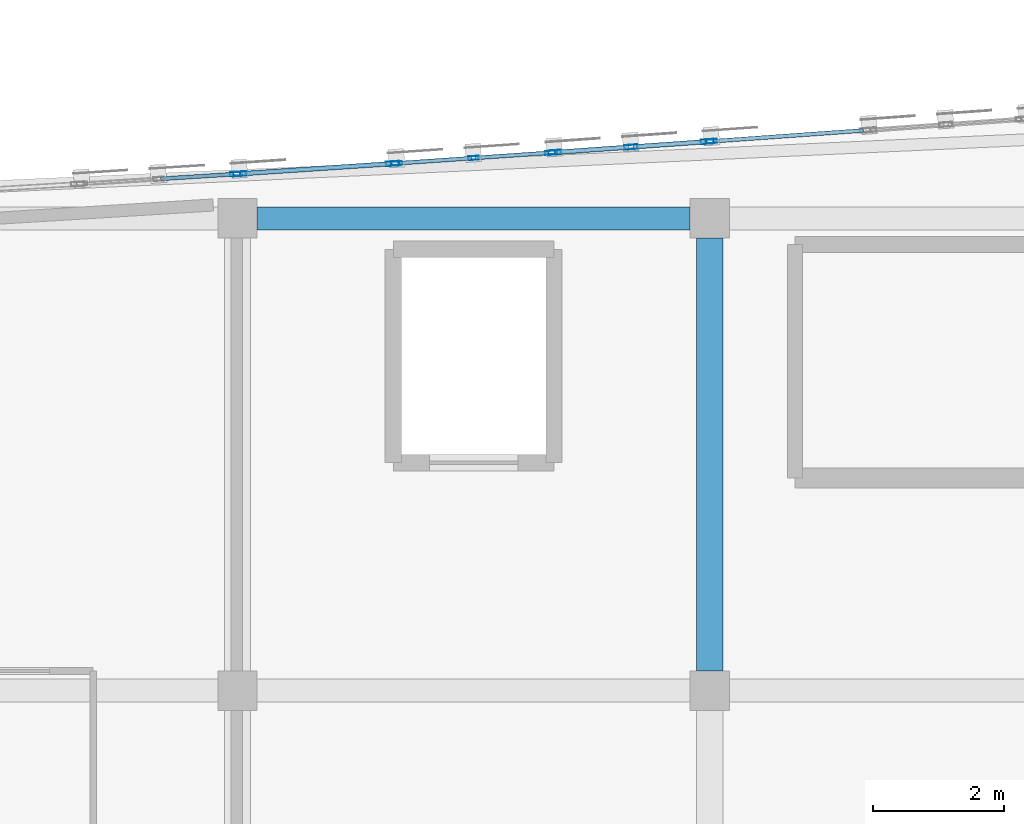
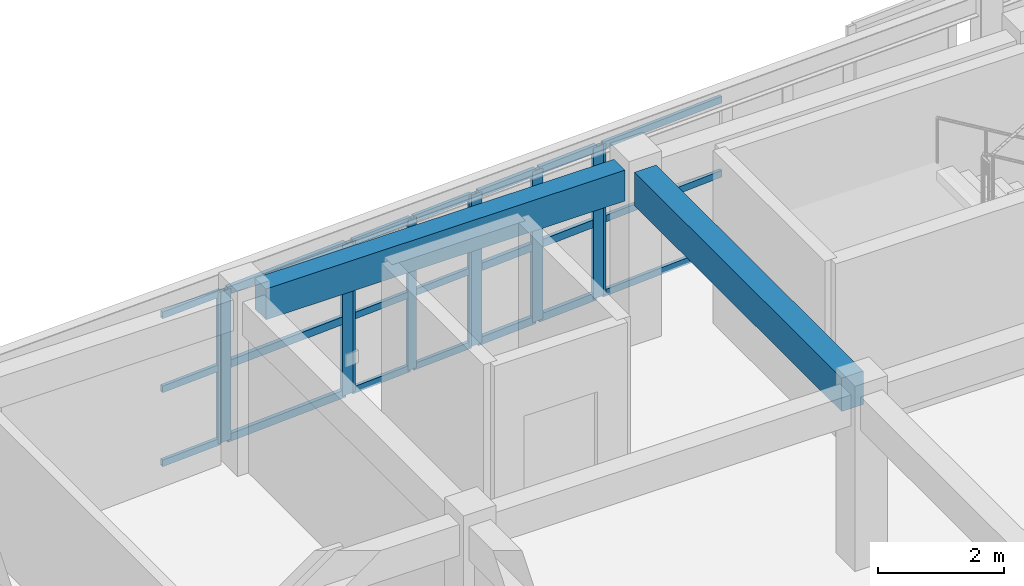
# One storey, part 8 of 45: 31 members, 2 beams, 5 elements without a shape of their own.
"""IFC4 building model written with IfcOpenShell, lengths in metres."""

from ifc_helpers import new_model, si_unit, direction, frame, origin, origin_2d, place, context, subcontext, project, spatial, rectangle, hollow_rectangle, extrude, material, layer, layer_set, material_profile, profile_set, type_object, element, aggregate, save


model = new_model("IFC4")

# Units and contexts
model_context = context("Model", 3, precision=1e-05, world=origin(), true_north=direction((0.0, 1.0)))
body_context = subcontext(model_context, "Body", "Model", "MODEL_VIEW")
ifc_project = project(units=[si_unit("LENGTHUNIT", "METRE"), si_unit("AREAUNIT", "SQUARE_METRE"), si_unit("VOLUMEUNIT", "CUBIC_METRE"), si_unit("PLANEANGLEUNIT", "RADIAN"), si_unit("MASSUNIT", "GRAM", prefix="KILO")], contexts=[model_context])

# Site, building, storey
site_placement = place(None, origin())
site = spatial("IfcSite", under=ifc_project, at=site_placement, CompositionType="ELEMENT")
building_placement = place(site_placement, origin())
building = spatial("IfcBuilding", under=site, at=building_placement, Name="Carrowvane Square Congress Hotel", CompositionType="ELEMENT")
storey_placement = place(building_placement, frame((0.0, 0.0, 33.60009765625)))
storey = spatial("IfcBuildingStorey", under=building, at=storey_placement, Name="L08", CompositionType="ELEMENT", Elevation=33.60009765625)

# Beams
ifc_material_1 = material(Name="Concrete C35/45", Category="concrete")
ifc_material_profile_1 = material_profile(ifc_material_1, rectangle(XDim=0.35009765625, YDim=0.60009765625, at=origin_2d()), Name="RC 350x600")
ifc_profile_set_1 = profile_set([ifc_material_profile_1], Name="Concrete C35/45")
beam_type_1 = type_object("IfcBeamType", Name="BM-RC-350x600", PredefinedType="BEAM", material=ifc_profile_set_1)
beam_1_placement = place(storey_placement, frame((47.89990234375, 113.39990234375, 3.059814453125), z_axis=(1.0, 0.0, 0.0), x_axis=(0.0, 1.0, 0.0)))
element("IfcBeam", 1, at=beam_1_placement, inside=storey, type_object=beam_type_1, Name="L09 girder R/6-7", PredefinedType="BEAM", context=body_context, shape_type="SweptSolid", body=[
    extrude(rectangle(XDim=0.35009765625, YDim=0.60009765625, at=origin_2d()), origin(), (0.0, 0.0, 1.0), 6.60009765625),
])
ifc_material_2 = material(Name="Concrete C35/45", Category="concrete")
ifc_material_profile_2 = material_profile(ifc_material_2, rectangle(XDim=0.39990234375, YDim=0.64990234375, at=origin_2d()), Name="RC 400x650")
ifc_profile_set_2 = profile_set([ifc_material_profile_2], Name="Concrete C35/45")
beam_type_2 = type_object("IfcBeamType", Name="BM-RC-400x650", PredefinedType="BEAM", material=ifc_profile_set_2)
beam_2_placement = place(storey_placement, frame((54.800048828125, 106.5, 3.034912109375), z_axis=(0.0, 1.0, 0.0), x_axis=(-1.0, 0.0, 0.0)))
element("IfcBeam", 2, at=beam_2_placement, inside=storey, type_object=beam_type_2, Name="L09 girder 7/Q-R", PredefinedType="BEAM", context=body_context, shape_type="SweptSolid", body=[
    extrude(rectangle(XDim=0.39990234375, YDim=0.64990234375, at=origin_2d()), origin(), (0.0, 0.0, 1.0), 6.60009765625),
])

# Curtain wall, member
ifc_material_3 = material(Name="Anodised aluminium", Category="aluminium")
ifc_layer_1 = layer(ifc_material_3, 0.2099609375)
ifc_layer_set_1 = layer_set([ifc_layer_1], Name="Anodised aluminium")
curtain_wall_type_1 = type_object("IfcCurtainWallType", Name="CW-SYS-5", PredefinedType="NOTDEFINED", material=ifc_layer_set_1)
curtain_wall_1_placement = place(storey_placement, origin())
curtain_wall_1 = element("IfcCurtainWall", 3, at=curtain_wall_1_placement, inside=storey, type_object=curtain_wall_type_1, Name="L08 unitised curtain wall 460", PredefinedType="NOTDEFINED")
ifc_material_4 = material(Name="Anodised aluminium", Category="aluminium")
ifc_material_profile_3 = material_profile(ifc_material_4, hollow_rectangle(XDim=0.06005859375, YDim=0.159912109375, WallThickness=0.00390625, at=origin_2d()), Name="CW-ML 60x160x4")
ifc_profile_set_3 = profile_set([ifc_material_profile_3], Name="Anodised aluminium")
member_type_1 = type_object("IfcMemberType", Name="CW-MUL-1", PredefinedType="MULLION", material=ifc_profile_set_3)
member_1_placement = place(storey_placement, frame((47.570068359375, 114.073486328125, 0.0), z_axis=(0.0, 0.0, 1.0), x_axis=(-0.063273487972, 0.997996225303, 0.0)))
member_1 = element("IfcMember", 4, at=member_1_placement, type_object=member_type_1, Name="CW-5 mullion 3", PredefinedType="MULLION", context=body_context, shape_type="SweptSolid", body=[
    extrude(hollow_rectangle(XDim=0.06005859375, YDim=0.159912109375, WallThickness=0.00390625, at=origin_2d()), origin(), (0.0, 0.0, 1.0), 2.935546875),
])

# Curtain wall, members
ifc_material_5 = material(Name="Anodised aluminium", Category="aluminium")
ifc_layer_2 = layer(ifc_material_5, 0.23388671875)
ifc_layer_set_2 = layer_set([ifc_layer_2], Name="Anodised aluminium")
curtain_wall_type_2 = type_object("IfcCurtainWallType", Name="CW-SYS-7", PredefinedType="NOTDEFINED", material=ifc_layer_set_2)
curtain_wall_2_placement = place(storey_placement, origin())
curtain_wall_2 = element("IfcCurtainWall", 5, at=curtain_wall_2_placement, inside=storey, type_object=curtain_wall_type_2, Name="L08 unitised curtain wall 462", PredefinedType="NOTDEFINED")
member_2_placement = place(storey_placement, frame((50.030029296875, 114.237548828125, 0.0), z_axis=(0.0, 0.0, 1.0), x_axis=(-0.068986120725, 0.997617619706, 0.0)))
member_2 = element("IfcMember", 6, at=member_2_placement, type_object=member_type_1, Name="CW-7 mullion 1", PredefinedType="MULLION", context=body_context, shape_type="SweptSolid", body=[
    extrude(hollow_rectangle(XDim=0.06005859375, YDim=0.159912109375, WallThickness=0.00390625, at=origin_2d()), origin(), (0.0, 0.0, 1.0), 2.935546875),
])
member_3_placement = place(storey_placement, frame((51.199951171875, 114.318359375, 0.0), z_axis=(0.0, 0.0, 1.0), x_axis=(-0.068986120725, 0.997617619706, 0.0)))
member_3 = element("IfcMember", 7, at=member_3_placement, type_object=member_type_1, Name="CW-7 mullion 2", PredefinedType="MULLION", context=body_context, shape_type="SweptSolid", body=[
    extrude(hollow_rectangle(XDim=0.06005859375, YDim=0.159912109375, WallThickness=0.00390625, at=origin_2d()), origin(), (0.0, 0.0, 1.0), 2.935546875),
])
member_4_placement = place(storey_placement, frame((52.3701171875, 114.3994140625, 0.0), z_axis=(0.0, 0.0, 1.0), x_axis=(-0.068986120725, 0.997617619706, 0.0)))
member_4 = element("IfcMember", 8, at=member_4_placement, type_object=member_type_1, Name="CW-7 mullion 3", PredefinedType="MULLION", context=body_context, shape_type="SweptSolid", body=[
    extrude(hollow_rectangle(XDim=0.06005859375, YDim=0.159912109375, WallThickness=0.00390625, at=origin_2d()), origin(), (0.0, 0.0, 1.0), 2.935546875),
])

# Curtain wall, member
ifc_material_6 = material(Name="Anodised aluminium", Category="aluminium")
ifc_layer_3 = layer(ifc_material_6, 0.162109375)
ifc_layer_set_3 = layer_set([ifc_layer_3], Name="Anodised aluminium")
curtain_wall_type_3 = type_object("IfcCurtainWallType", Name="CW-SYS-1", PredefinedType="NOTDEFINED", material=ifc_layer_set_3)
curtain_wall_3_placement = place(storey_placement, origin())
curtain_wall_3 = element("IfcCurtainWall", 9, at=curtain_wall_3_placement, inside=storey, type_object=curtain_wall_type_3, Name="L08 unitised curtain wall 464", PredefinedType="NOTDEFINED")
member_5_placement = place(storey_placement, frame((54.829833984375, 114.573486328125, 0.0), z_axis=(0.0, 0.0, 1.0), x_axis=(-0.071418356042, 0.997446448898, 0.0)))
member_5 = element("IfcMember", 10, at=member_5_placement, type_object=member_type_1, Name="CW-1 mullion 1", PredefinedType="MULLION", context=body_context, shape_type="SweptSolid", body=[
    extrude(hollow_rectangle(XDim=0.06005859375, YDim=0.159912109375, WallThickness=0.00390625, at=origin_2d()), origin(), (0.0, 0.0, 1.0), 2.935546875),
])

# Curtain wall, members
ifc_material_7 = material(Name="Anodised aluminium", Category="aluminium")
ifc_layer_4 = layer(ifc_material_7, 0.221923828125)
ifc_layer_set_4 = layer_set([ifc_layer_4], Name="Anodised aluminium")
curtain_wall_type_4 = type_object("IfcCurtainWallType", Name="CW-SYS-6", PredefinedType="NOTDEFINED", material=ifc_layer_set_4)
curtain_wall_4_placement = place(storey_placement, origin())
curtain_wall_4 = element("IfcCurtainWall", 11, at=curtain_wall_4_placement, inside=storey, type_object=curtain_wall_type_4, Name="L08 unitised curtain wall 461", PredefinedType="NOTDEFINED")
ifc_material_8 = material(Name="Anodised aluminium", Category="aluminium")
ifc_material_profile_4 = material_profile(ifc_material_8, hollow_rectangle(XDim=0.070068359375, YDim=0.199951171875, WallThickness=0.0048828125, at=origin_2d()), Name="CW-ML 70x200x5")
ifc_profile_set_4 = profile_set([ifc_material_profile_4], Name="Anodised aluminium")
member_type_2 = type_object("IfcMemberType", Name="CW-MUL-2", PredefinedType="MULLION", material=ifc_profile_set_4)
member_6_placement = place(storey_placement, frame((47.635009765625, 114.07763671875, 0.0), z_axis=(0.0, 0.0, 1.0), x_axis=(-0.066578061501, 0.99778121937, 0.0)))
member_6 = element("IfcMember", 12, at=member_6_placement, type_object=member_type_2, Name="CW-6 mullion 1", PredefinedType="MULLION", context=body_context, shape_type="SweptSolid", body=[
    extrude(hollow_rectangle(XDim=0.070068359375, YDim=0.199951171875, WallThickness=0.0048828125, at=origin_2d()), origin(), (0.0, 0.0, 1.0), 2.935546875),
])
member_7_placement = place(storey_placement, frame((49.965087890625, 114.233154296875, 0.0), z_axis=(0.0, 0.0, 1.0), x_axis=(-0.066578061501, 0.99778121937, 0.0)))
member_7 = element("IfcMember", 13, at=member_7_placement, type_object=member_type_2, Name="CW-6 mullion 2", PredefinedType="MULLION", context=body_context, shape_type="SweptSolid", body=[
    extrude(hollow_rectangle(XDim=0.070068359375, YDim=0.199951171875, WallThickness=0.0048828125, at=origin_2d()), origin(), (0.0, 0.0, 1.0), 2.935546875),
])

ifc_material_9 = material(Name="Anodised aluminium", Category="aluminium")
ifc_layer_5 = layer(ifc_material_9, 0.24609375)
ifc_layer_set_5 = layer_set([ifc_layer_5], Name="Anodised aluminium")
curtain_wall_type_5 = type_object("IfcCurtainWallType", Name="CW-SYS-8", PredefinedType="NOTDEFINED", material=ifc_layer_set_5)
curtain_wall_5_placement = place(storey_placement, origin())
curtain_wall_5 = element("IfcCurtainWall", 14, at=curtain_wall_5_placement, inside=storey, type_object=curtain_wall_type_5, Name="L08 unitised curtain wall 463", PredefinedType="NOTDEFINED")
member_8_placement = place(storey_placement, frame((52.434814453125, 114.40380859375, 0.0), z_axis=(0.0, 0.0, 1.0), x_axis=(-0.070585996942, 0.997505697746, 0.0)))
member_8 = element("IfcMember", 15, at=member_8_placement, type_object=member_type_2, Name="CW-8 mullion 1", PredefinedType="MULLION", context=body_context, shape_type="SweptSolid", body=[
    extrude(hollow_rectangle(XDim=0.070068359375, YDim=0.199951171875, WallThickness=0.0048828125, at=origin_2d()), origin(), (0.0, 0.0, 1.0), 2.935546875),
])
member_9_placement = place(storey_placement, frame((53.60009765625, 114.486328125, 0.0), z_axis=(0.0, 0.0, 1.0), x_axis=(-0.070585996942, 0.997505697746, 0.0)))
member_9 = element("IfcMember", 16, at=member_9_placement, type_object=member_type_2, Name="CW-8 mullion 2", PredefinedType="MULLION", context=body_context, shape_type="SweptSolid", body=[
    extrude(hollow_rectangle(XDim=0.070068359375, YDim=0.199951171875, WallThickness=0.0048828125, at=origin_2d()), origin(), (0.0, 0.0, 1.0), 2.935546875),
])
member_10_placement = place(storey_placement, frame((54.76513671875, 114.56884765625, 0.0), z_axis=(0.0, 0.0, 1.0), x_axis=(-0.070585996942, 0.997505697746, 0.0)))
member_10 = element("IfcMember", 17, at=member_10_placement, type_object=member_type_2, Name="CW-8 mullion 3", PredefinedType="MULLION", context=body_context, shape_type="SweptSolid", body=[
    extrude(hollow_rectangle(XDim=0.070068359375, YDim=0.199951171875, WallThickness=0.0048828125, at=origin_2d()), origin(), (0.0, 0.0, 1.0), 2.935546875),
])

# Member
ifc_material_10 = material(Name="Anodised aluminium", Category="aluminium")
ifc_material_profile_5 = material_profile(ifc_material_10, hollow_rectangle(XDim=0.06005859375, YDim=0.1298828125, WallThickness=0.00390625, at=origin_2d()), Name="CW-TR 60x130x4")
ifc_profile_set_5 = profile_set([ifc_material_profile_5], Name="Anodised aluminium")
member_type_3 = type_object("IfcMemberType", Name="CW-TRN-1", PredefinedType="USERDEFINED", material=ifc_profile_set_5)
member_11_placement = place(storey_placement, frame((46.429931640625, 114.001220703125, 0.02978515625), z_axis=(0.99800013466, 0.063211796521, 0.0), x_axis=(-0.063211796521, 0.99800013466, 0.0)))
member_11 = element("IfcMember", 18, at=member_11_placement, type_object=member_type_3, Name="CW-5 transom 2.1", ObjectType="TRANSOM", PredefinedType="USERDEFINED", context=body_context, shape_type="SweptSolid", body=[
    extrude(hollow_rectangle(XDim=0.06005859375, YDim=0.1298828125, WallThickness=0.00390625, at=origin_2d()), origin(), (0.0, 0.0, 1.0), 1.1123046875),
])

member_12_placement = place(storey_placement, frame((46.429931640625, 114.001220703125, 1.4677734375), z_axis=(0.99800013466, 0.063211796521, 0.0), x_axis=(-0.063211796521, 0.99800013466, 0.0)))
member_12 = element("IfcMember", 19, at=member_12_placement, type_object=member_type_3, Name="CW-5 transom 2.2", ObjectType="TRANSOM", PredefinedType="USERDEFINED", context=body_context, shape_type="SweptSolid", body=[
    extrude(hollow_rectangle(XDim=0.06005859375, YDim=0.1298828125, WallThickness=0.00390625, at=origin_2d()), origin(), (0.0, 0.0, 1.0), 1.1123046875),
])

member_13_placement = place(storey_placement, frame((46.429931640625, 114.001220703125, 2.905517578125), z_axis=(0.99800013466, 0.063211796521, 0.0), x_axis=(-0.063211796521, 0.99800013466, 0.0)))
member_13 = element("IfcMember", 20, at=member_13_placement, type_object=member_type_3, Name="CW-5 transom 2.3", ObjectType="TRANSOM", PredefinedType="USERDEFINED", context=body_context, shape_type="SweptSolid", body=[
    extrude(hollow_rectangle(XDim=0.06005859375, YDim=0.1298828125, WallThickness=0.00390625, at=origin_2d()), origin(), (0.0, 0.0, 1.0), 1.1123046875),
])

aggregate(curtain_wall_1, [member_1, member_11, member_12, member_13])

member_14_placement = place(storey_placement, frame((50.059814453125, 114.239501953125, 0.02978515625), z_axis=(0.997610037403, 0.06909568201, 0.0), x_axis=(-0.06909568201, 0.997610037403, 0.0)))
member_14 = element("IfcMember", 21, at=member_14_placement, type_object=member_type_3, Name="CW-7 transom 1.1", ObjectType="TRANSOM", PredefinedType="USERDEFINED", context=body_context, shape_type="SweptSolid", body=[
    extrude(hollow_rectangle(XDim=0.06005859375, YDim=0.1298828125, WallThickness=0.00390625, at=origin_2d()), origin(), (0.0, 0.0, 1.0), 1.113037109375),
])

member_15_placement = place(storey_placement, frame((50.059814453125, 114.239501953125, 1.4677734375), z_axis=(0.997610037403, 0.06909568201, 0.0), x_axis=(-0.06909568201, 0.997610037403, 0.0)))
member_15 = element("IfcMember", 22, at=member_15_placement, type_object=member_type_3, Name="CW-7 transom 1.2", ObjectType="TRANSOM", PredefinedType="USERDEFINED", context=body_context, shape_type="SweptSolid", body=[
    extrude(hollow_rectangle(XDim=0.06005859375, YDim=0.1298828125, WallThickness=0.00390625, at=origin_2d()), origin(), (0.0, 0.0, 1.0), 1.113037109375),
])

member_16_placement = place(storey_placement, frame((50.059814453125, 114.239501953125, 2.905517578125), z_axis=(0.997610037403, 0.06909568201, 0.0), x_axis=(-0.06909568201, 0.997610037403, 0.0)))
member_16 = element("IfcMember", 23, at=member_16_placement, type_object=member_type_3, Name="CW-7 transom 1.3", ObjectType="TRANSOM", PredefinedType="USERDEFINED", context=body_context, shape_type="SweptSolid", body=[
    extrude(hollow_rectangle(XDim=0.06005859375, YDim=0.1298828125, WallThickness=0.00390625, at=origin_2d()), origin(), (0.0, 0.0, 1.0), 1.113037109375),
])

member_17_placement = place(storey_placement, frame((51.22998046875, 114.320556640625, 0.02978515625), z_axis=(0.997624092775, 0.068892448896, 0.0), x_axis=(-0.068892448896, 0.997624092775, 0.0)))
member_17 = element("IfcMember", 24, at=member_17_placement, type_object=member_type_3, Name="CW-7 transom 2.1", ObjectType="TRANSOM", PredefinedType="USERDEFINED", context=body_context, shape_type="SweptSolid", body=[
    extrude(hollow_rectangle(XDim=0.06005859375, YDim=0.1298828125, WallThickness=0.00390625, at=origin_2d()), origin(), (0.0, 0.0, 1.0), 1.11279296875),
])

member_18_placement = place(storey_placement, frame((51.22998046875, 114.320556640625, 1.4677734375), z_axis=(0.997624092775, 0.068892448896, 0.0), x_axis=(-0.068892448896, 0.997624092775, 0.0)))
member_18 = element("IfcMember", 25, at=member_18_placement, type_object=member_type_3, Name="CW-7 transom 2.2", ObjectType="TRANSOM", PredefinedType="USERDEFINED", context=body_context, shape_type="SweptSolid", body=[
    extrude(hollow_rectangle(XDim=0.06005859375, YDim=0.1298828125, WallThickness=0.00390625, at=origin_2d()), origin(), (0.0, 0.0, 1.0), 1.11279296875),
])

member_19_placement = place(storey_placement, frame((51.22998046875, 114.320556640625, 2.905517578125), z_axis=(0.997624092775, 0.068892448896, 0.0), x_axis=(-0.068892448896, 0.997624092775, 0.0)))
member_19 = element("IfcMember", 26, at=member_19_placement, type_object=member_type_3, Name="CW-7 transom 2.3", ObjectType="TRANSOM", PredefinedType="USERDEFINED", context=body_context, shape_type="SweptSolid", body=[
    extrude(hollow_rectangle(XDim=0.06005859375, YDim=0.1298828125, WallThickness=0.00390625, at=origin_2d()), origin(), (0.0, 0.0, 1.0), 1.11279296875),
])

aggregate(curtain_wall_2, [member_2, member_3, member_4, member_14, member_15, member_16, member_17, member_18, member_19])

member_20_placement = place(storey_placement, frame((54.85986328125, 114.575439453125, 0.02978515625), z_axis=(0.997444585834, 0.071444371298, 0.0), x_axis=(-0.071444371298, 0.997444585834, 0.0)))
member_20 = element("IfcMember", 27, at=member_20_placement, type_object=member_type_3, Name="CW-1 transom 1.1", ObjectType="TRANSOM", PredefinedType="USERDEFINED", context=body_context, shape_type="SweptSolid", body=[
    extrude(hollow_rectangle(XDim=0.06005859375, YDim=0.1298828125, WallThickness=0.00390625, at=origin_2d()), origin(), (0.0, 0.0, 1.0), 2.2861328125),
])

member_21_placement = place(storey_placement, frame((54.85986328125, 114.575439453125, 1.4677734375), z_axis=(0.997444585834, 0.071444371298, 0.0), x_axis=(-0.071444371298, 0.997444585834, 0.0)))
member_21 = element("IfcMember", 28, at=member_21_placement, type_object=member_type_3, Name="CW-1 transom 1.2", ObjectType="TRANSOM", PredefinedType="USERDEFINED", context=body_context, shape_type="SweptSolid", body=[
    extrude(hollow_rectangle(XDim=0.06005859375, YDim=0.1298828125, WallThickness=0.00390625, at=origin_2d()), origin(), (0.0, 0.0, 1.0), 2.2861328125),
])

member_22_placement = place(storey_placement, frame((54.85986328125, 114.575439453125, 2.905517578125), z_axis=(0.997444585834, 0.071444371298, 0.0), x_axis=(-0.071444371298, 0.997444585834, 0.0)))
member_22 = element("IfcMember", 29, at=member_22_placement, type_object=member_type_3, Name="CW-1 transom 1.3", ObjectType="TRANSOM", PredefinedType="USERDEFINED", context=body_context, shape_type="SweptSolid", body=[
    extrude(hollow_rectangle(XDim=0.06005859375, YDim=0.1298828125, WallThickness=0.00390625, at=origin_2d()), origin(), (0.0, 0.0, 1.0), 2.2861328125),
])

aggregate(curtain_wall_3, [member_5, member_20, member_21, member_22])

ifc_material_11 = material(Name="Anodised aluminium", Category="aluminium")
ifc_material_profile_6 = material_profile(ifc_material_11, hollow_rectangle(XDim=0.070068359375, YDim=0.14990234375, WallThickness=0.0048828125, at=origin_2d()), Name="CW-TR 70x150x5")
ifc_profile_set_6 = profile_set([ifc_material_profile_6], Name="Anodised aluminium")
member_type_4 = type_object("IfcMemberType", Name="CW-TRN-2", PredefinedType="USERDEFINED", material=ifc_profile_set_6)
member_23_placement = place(storey_placement, frame((47.669921875, 114.080078125, 0.034912109375), z_axis=(0.997786588276, 0.066497550763, 0.0), x_axis=(-0.066497550763, 0.997786588276, 0.0)))
member_23 = element("IfcMember", 30, at=member_23_placement, type_object=member_type_4, Name="CW-6 transom 1.1", ObjectType="TRANSOM", PredefinedType="USERDEFINED", context=body_context, shape_type="SweptSolid", body=[
    extrude(hollow_rectangle(XDim=0.070068359375, YDim=0.14990234375, WallThickness=0.0048828125, at=origin_2d()), origin(), (0.0, 0.0, 1.0), 2.265380859375),
])

member_24_placement = place(storey_placement, frame((47.669921875, 114.080078125, 1.4677734375), z_axis=(0.997786588276, 0.066497550763, 0.0), x_axis=(-0.066497550763, 0.997786588276, 0.0)))
member_24 = element("IfcMember", 31, at=member_24_placement, type_object=member_type_4, Name="CW-6 transom 1.2", ObjectType="TRANSOM", PredefinedType="USERDEFINED", context=body_context, shape_type="SweptSolid", body=[
    extrude(hollow_rectangle(XDim=0.070068359375, YDim=0.14990234375, WallThickness=0.0048828125, at=origin_2d()), origin(), (0.0, 0.0, 1.0), 2.265380859375),
])

member_25_placement = place(storey_placement, frame((47.669921875, 114.080078125, 2.900390625), z_axis=(0.997786588276, 0.066497550763, 0.0), x_axis=(-0.066497550763, 0.997786588276, 0.0)))
member_25 = element("IfcMember", 32, at=member_25_placement, type_object=member_type_4, Name="CW-6 transom 1.3", ObjectType="TRANSOM", PredefinedType="USERDEFINED", context=body_context, shape_type="SweptSolid", body=[
    extrude(hollow_rectangle(XDim=0.070068359375, YDim=0.14990234375, WallThickness=0.0048828125, at=origin_2d()), origin(), (0.0, 0.0, 1.0), 2.265380859375),
])

aggregate(curtain_wall_4, [member_6, member_7, member_23, member_24, member_25])

member_26_placement = place(storey_placement, frame((52.4697265625, 114.406494140625, 0.034912109375), z_axis=(0.997513695284, 0.070472886429, 0.0), x_axis=(-0.070472886429, 0.997513695284, 0.0)))
member_26 = element("IfcMember", 33, at=member_26_placement, type_object=member_type_4, Name="CW-8 transom 1.1", ObjectType="TRANSOM", PredefinedType="USERDEFINED", context=body_context, shape_type="SweptSolid", body=[
    extrude(hollow_rectangle(XDim=0.070068359375, YDim=0.14990234375, WallThickness=0.0048828125, at=origin_2d()), origin(), (0.0, 0.0, 1.0), 1.09814453125),
])

member_27_placement = place(storey_placement, frame((52.4697265625, 114.406494140625, 1.4677734375), z_axis=(0.997513695284, 0.070472886429, 0.0), x_axis=(-0.070472886429, 0.997513695284, 0.0)))
member_27 = element("IfcMember", 34, at=member_27_placement, type_object=member_type_4, Name="CW-8 transom 1.2", ObjectType="TRANSOM", PredefinedType="USERDEFINED", context=body_context, shape_type="SweptSolid", body=[
    extrude(hollow_rectangle(XDim=0.070068359375, YDim=0.14990234375, WallThickness=0.0048828125, at=origin_2d()), origin(), (0.0, 0.0, 1.0), 1.09814453125),
])

member_28_placement = place(storey_placement, frame((52.4697265625, 114.406494140625, 2.900390625), z_axis=(0.997513695284, 0.070472886429, 0.0), x_axis=(-0.070472886429, 0.997513695284, 0.0)))
member_28 = element("IfcMember", 35, at=member_28_placement, type_object=member_type_4, Name="CW-8 transom 1.3", ObjectType="TRANSOM", PredefinedType="USERDEFINED", context=body_context, shape_type="SweptSolid", body=[
    extrude(hollow_rectangle(XDim=0.070068359375, YDim=0.14990234375, WallThickness=0.0048828125, at=origin_2d()), origin(), (0.0, 0.0, 1.0), 1.09814453125),
])

member_29_placement = place(storey_placement, frame((53.635009765625, 114.48876953125, 0.034912109375), z_axis=(0.9974969316, 0.070709769115, 0.0), x_axis=(-0.070709769115, 0.9974969316, 0.0)))
member_29 = element("IfcMember", 36, at=member_29_placement, type_object=member_type_4, Name="CW-8 transom 2.1", ObjectType="TRANSOM", PredefinedType="USERDEFINED", context=body_context, shape_type="SweptSolid", body=[
    extrude(hollow_rectangle(XDim=0.070068359375, YDim=0.14990234375, WallThickness=0.0048828125, at=origin_2d()), origin(), (0.0, 0.0, 1.0), 1.097900390625),
])

member_30_placement = place(storey_placement, frame((53.635009765625, 114.48876953125, 1.4677734375), z_axis=(0.9974969316, 0.070709769115, 0.0), x_axis=(-0.070709769115, 0.9974969316, 0.0)))
member_30 = element("IfcMember", 37, at=member_30_placement, type_object=member_type_4, Name="CW-8 transom 2.2", ObjectType="TRANSOM", PredefinedType="USERDEFINED", context=body_context, shape_type="SweptSolid", body=[
    extrude(hollow_rectangle(XDim=0.070068359375, YDim=0.14990234375, WallThickness=0.0048828125, at=origin_2d()), origin(), (0.0, 0.0, 1.0), 1.097900390625),
])

member_31_placement = place(storey_placement, frame((53.635009765625, 114.48876953125, 2.900390625), z_axis=(0.9974969316, 0.070709769115, 0.0), x_axis=(-0.070709769115, 0.9974969316, 0.0)))
member_31 = element("IfcMember", 38, at=member_31_placement, type_object=member_type_4, Name="CW-8 transom 2.3", ObjectType="TRANSOM", PredefinedType="USERDEFINED", context=body_context, shape_type="SweptSolid", body=[
    extrude(hollow_rectangle(XDim=0.070068359375, YDim=0.14990234375, WallThickness=0.0048828125, at=origin_2d()), origin(), (0.0, 0.0, 1.0), 1.097900390625),
])

aggregate(curtain_wall_5, [member_8, member_9, member_10, member_26, member_27, member_28, member_29, member_30, member_31])

save(model, "model.ifc")
